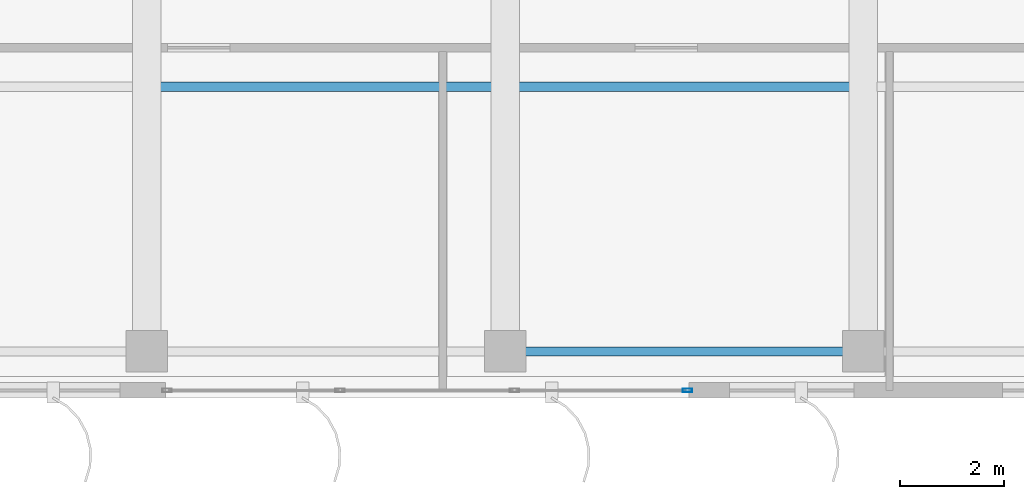
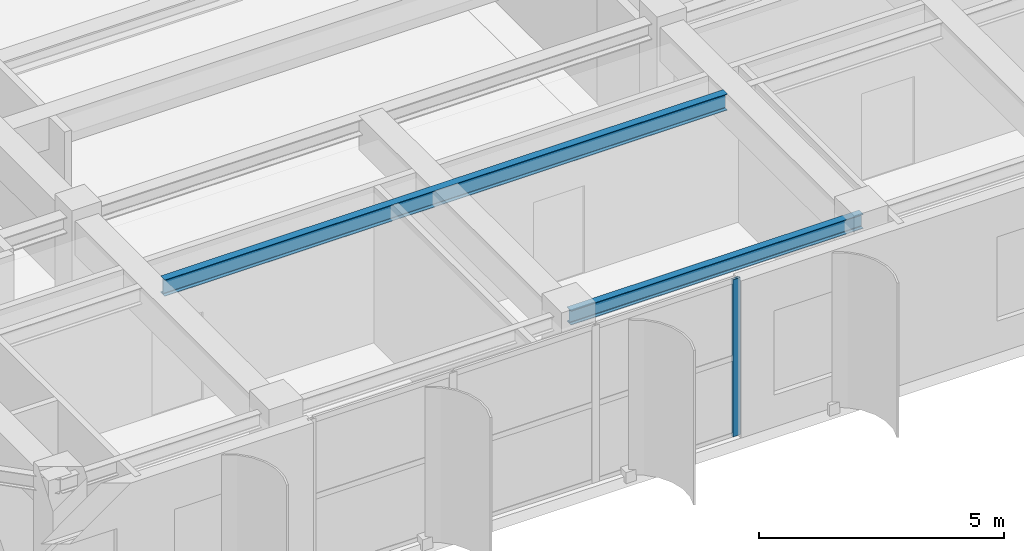
# One storey, part 6 of 26: 2 beams, 1 member, 1 element without a shape of its own.
"""IFC4 building model written with IfcOpenShell, lengths in metres."""

from ifc_helpers import new_model, si_unit, direction, frame, origin, origin_2d, place, context, subcontext, project, spatial, hollow_rectangle, i_section, extrude, source, transform, mapped, material, layer, layer_set, material_profile, profile_set, type_object, element, aggregate, save


model = new_model("IFC4")

# Units and contexts
model_context = context("Model", 3, precision=1e-05, world=origin(), true_north=direction((0.0, 1.0)))
body_context = subcontext(model_context, "Body", "Model", "MODEL_VIEW")
ifc_project = project(units=[si_unit("LENGTHUNIT", "METRE"), si_unit("AREAUNIT", "SQUARE_METRE"), si_unit("VOLUMEUNIT", "CUBIC_METRE"), si_unit("PLANEANGLEUNIT", "RADIAN"), si_unit("MASSUNIT", "GRAM", prefix="KILO")], contexts=[model_context])

# Site, building, storey
site_placement = place(None, origin())
site = spatial("IfcSite", under=ifc_project, at=site_placement, CompositionType="ELEMENT")
building_placement = place(site_placement, origin())
building = spatial("IfcBuilding", under=site, at=building_placement, Name="Khoralis Quay Care Tower", CompositionType="ELEMENT")
storey_placement = place(building_placement, frame((0.0, 0.0, 289.5)))
storey = spatial("IfcBuildingStorey", under=building, at=storey_placement, Name="L76", CompositionType="ELEMENT", Elevation=289.5)

# Beams
ifc_material_1 = material(Name="Steel S355", Category="steel")
ifc_material_profile_1 = material_profile(ifc_material_1, i_section(OverallWidth=0.169921875, OverallDepth=0.360107421875, WebThickness=0.008056640625, FlangeThickness=0.0126953125, FilletRadius=0.01806640625, at=origin_2d()), Name="Steel S355")
ifc_profile_set_1 = profile_set([ifc_material_profile_1], Name="Steel S355")
beam_type_1 = type_object("IfcBeamType", Name="BM-IPE360", PredefinedType="SPANDREL", material=ifc_profile_set_1)
shared_shape_1 = source(origin(), body_context, "Body", "SweptSolid", [
    extrude(i_section(OverallWidth=0.169921875, OverallDepth=0.360107421875, WebThickness=0.008056640625, FlangeThickness=0.0126953125, FilletRadius=0.01806640625, at=origin_2d()), origin(), (0.0, 0.0, 1.0), 6.89990234375),
])
beam_1_placement = place(storey_placement, frame((24.0, 3.89990234375, 3.739990234375), z_axis=(1.0, 0.0, 0.0), x_axis=(0.0, 1.0, 0.0)))
element("IfcBeam", 1, at=beam_1_placement, inside=storey, type_object=beam_type_1, Name="BM-TSP-L76-03", PredefinedType="SPANDREL", context=body_context, shape_type="MappedRepresentation", body=[
    mapped(shared_shape_1, transform((0.0, 0.0, 0.0), scale=1.0)),
])
ifc_material_profile_2 = material_profile(ifc_material_1, i_section(OverallWidth=0.177978515625, OverallDepth=0.406982421875, WebThickness=0.0078125, FlangeThickness=0.0126953125, FilletRadius=0.012939453125, at=origin_2d()), Name="Steel S355")
ifc_profile_set_2 = profile_set([ifc_material_profile_2], Name="Steel S355")
beam_type_2 = type_object("IfcBeamType", Name="BM-W410X60", PredefinedType="JOIST", material=ifc_profile_set_2)
shared_shape_2 = source(origin(), body_context, "Body", "SweptSolid", [
    extrude(i_section(OverallWidth=0.177978515625, OverallDepth=0.406982421875, WebThickness=0.0078125, FlangeThickness=0.0126953125, FilletRadius=0.012939453125, at=origin_2d()), origin(), (0.0, 0.0, 1.0), 13.27392578125),
])
beam_2_placement = place(storey_placement, frame((17.363037109375, 9.0, 3.716552734375), z_axis=(1.0, 0.0, 0.0), x_axis=(0.0, 1.0, 0.0)))
element("IfcBeam", 2, at=beam_2_placement, inside=storey, type_object=beam_type_2, Name="BM-TJS-L76-23", PredefinedType="JOIST", context=body_context, shape_type="MappedRepresentation", body=[
    mapped(shared_shape_2, transform((0.0, 0.0, 0.0), scale=1.0)),
])

# Curtain wall, member
ifc_material_2 = material(Name="Pale anodised aluminium", Category="aluminium")
ifc_layer = layer(ifc_material_2, 0.159912109375)
ifc_layer_set = layer_set([ifc_layer], Name="Pale anodised aluminium")
curtain_wall_type = type_object("IfcCurtainWallType", Name="CW-SYS-Z3", PredefinedType="NOTDEFINED", material=ifc_layer_set)
curtain_wall_placement = place(storey_placement, origin())
curtain_wall = element("IfcCurtainWall", 3, at=curtain_wall_placement, inside=storey, type_object=curtain_wall_type, Name="L76 Unitised Curtain Wall CW-L76-P1-E0", PredefinedType="NOTDEFINED")
ifc_material_profile_3 = material_profile(ifc_material_2, hollow_rectangle(XDim=0.06494140625, YDim=0.179931640625, WallThickness=0.00390625, at=origin_2d()), Name="Pale anodised aluminium")
ifc_profile_set_3 = profile_set([ifc_material_profile_3], Name="Pale anodised aluminium")
member_type = type_object("IfcMemberType", Name="CW-MUL-180", PredefinedType="MULLION", material=ifc_profile_set_3)
shared_shape_3 = source(origin(), body_context, "Body", "SweptSolid", [
    extrude(hollow_rectangle(XDim=0.06494140625, YDim=0.179931640625, WallThickness=0.00390625, at=origin_2d()), origin(), (0.0, 0.0, 1.0), 3.919921875),
])
member_placement = place(storey_placement, frame((27.510009765625, 3.14990234375, 0.0), z_axis=(0.0, 0.0, 1.0), x_axis=(0.0, 1.0, 0.0)))
member = element("IfcMember", 4, at=member_placement, type_object=member_type, Name="CW3 mullion 4", PredefinedType="MULLION", context=body_context, shape_type="MappedRepresentation", body=[
    mapped(shared_shape_3, transform((0.0, 0.0, 0.0), scale=1.0)),
])
aggregate(curtain_wall, [member])

save(model, "model.ifc")
